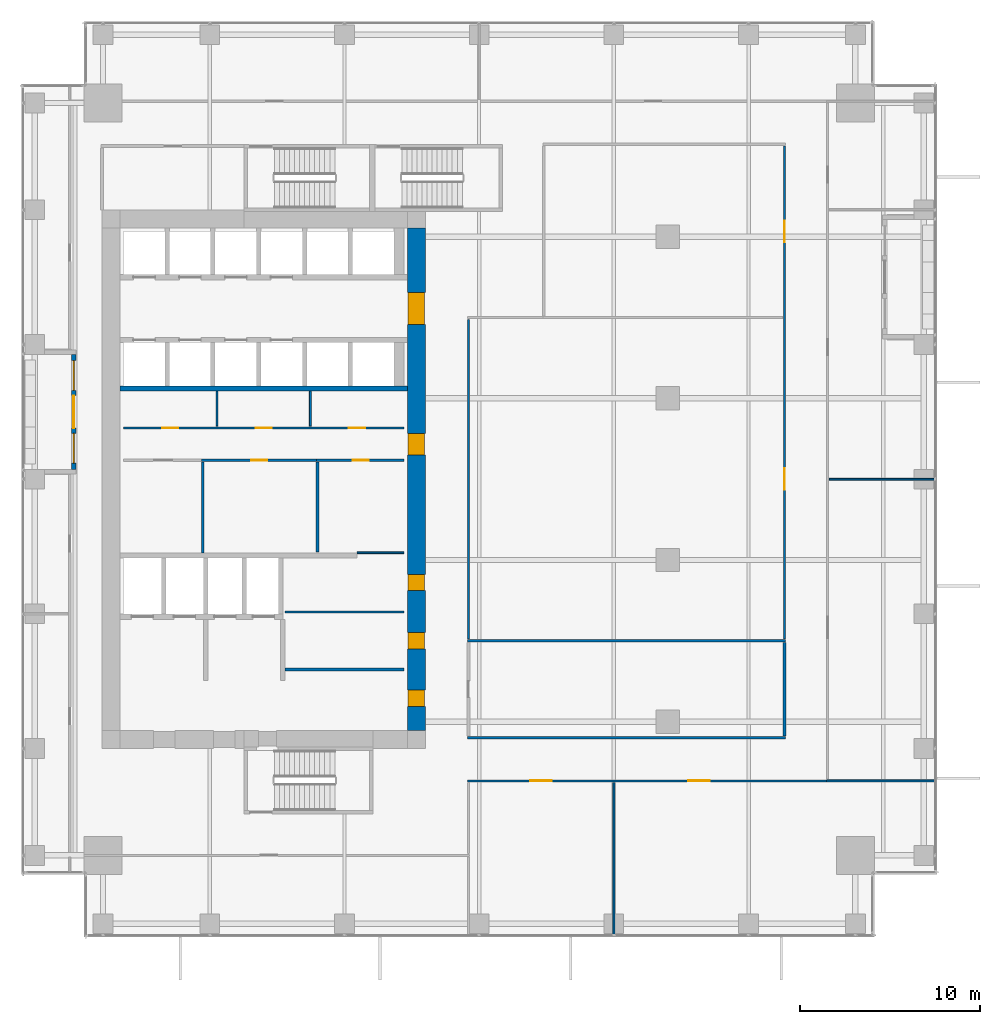
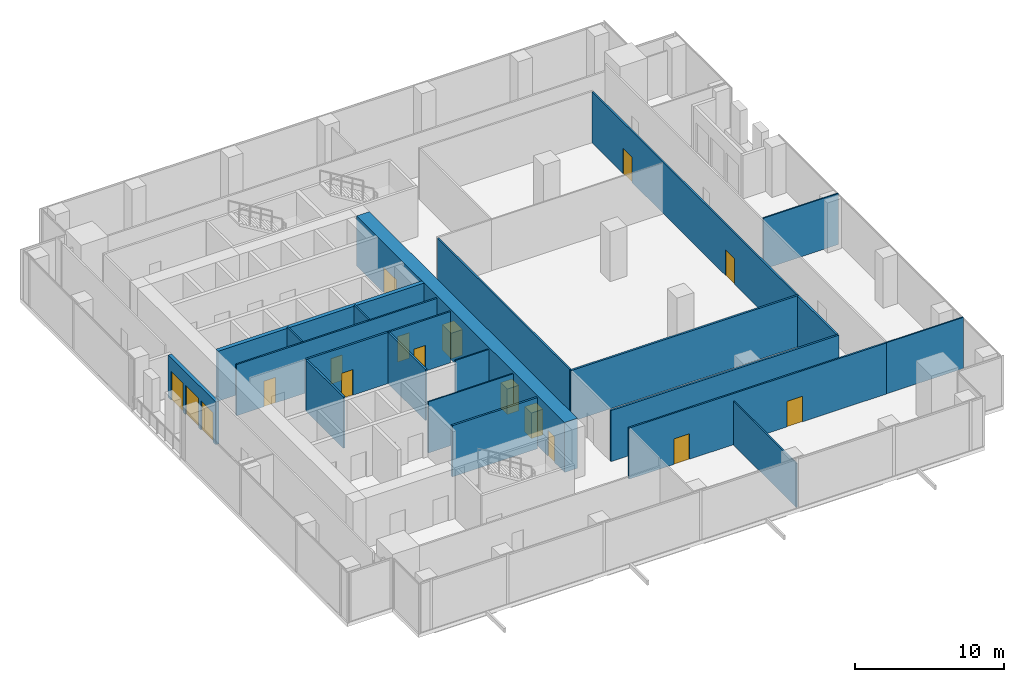
# One storey, part 30 of 35: 22 walls, 15 doors, 2 windows, 17 openings.
"""IFC4 building model written with IfcOpenShell, lengths in metres."""

from ifc_helpers import new_model, si_unit, direction, frame, frame_2d, origin, place, context, subcontext, project, spatial, rectangle, extrude, source, transform, mapped, material, layer, layer_set, type_object, element, fill, save


model = new_model("IFC4")

# Units and contexts
model_context = context("Model", 3, precision=1e-05, world=origin(), true_north=direction((0.0, 1.0)))
body_context = subcontext(model_context, "Body", "Model", "MODEL_VIEW")
ifc_project = project(units=[si_unit("LENGTHUNIT", "METRE"), si_unit("AREAUNIT", "SQUARE_METRE"), si_unit("VOLUMEUNIT", "CUBIC_METRE"), si_unit("PLANEANGLEUNIT", "RADIAN"), si_unit("MASSUNIT", "GRAM", prefix="KILO")], contexts=[model_context])

# Site, building, storey
site_placement = place(None, origin())
site = spatial("IfcSite", under=ifc_project, at=site_placement, CompositionType="ELEMENT")
building_placement = place(site_placement, origin())
building = spatial("IfcBuilding", under=site, at=building_placement, Name="Khomas Fold Tower", CompositionType="ELEMENT")
storey_placement = place(building_placement, frame((0.0, 0.0, 132.300048828125)))
storey = spatial("IfcBuildingStorey", under=building, at=storey_placement, Name="L28", CompositionType="ELEMENT", Elevation=132.300048828125)

# Wall, openings, doors
ifc_material_1 = material(Name="Concrete C70/85", Category="concrete")
ifc_layer_1 = layer(ifc_material_1, 1.0)
ifc_layer_set_1 = layer_set([ifc_layer_1], Name="Concrete C70/85")
wall_type_1 = type_object("IfcWallType", Name="Core wall 1000", PredefinedType="SHEAR", material=ifc_layer_set_1)
shared_shape_1 = source(origin(), body_context, "Body", "SweptSolid", [
    extrude(rectangle(XDim=28.0, YDim=1.0, at=frame_2d((14.0, 0.0))), origin(), (0.0, 0.0, 1.0), 4.099853515625),
])
wall_1_placement = place(storey_placement, frame((23.5, 13.0, 0.0), z_axis=(0.0, 0.0, 1.0), x_axis=(0.0, 1.0, 0.0)))
wall_1 = element("IfcWall", 1, at=wall_1_placement, inside=storey, type_object=wall_type_1, Name="Core wall CW-L-E-L21", PredefinedType="SHEAR", context=body_context, shape_type="MappedRepresentation", body=[
    mapped(shared_shape_1, transform((0.0, 0.0, 0.0))),
])
shared_shape_2 = source(origin(), body_context, "Body", "SweptSolid", [
    extrude(rectangle(XDim=1.800048828125, YDim=2.10009765625, at=frame_2d((0.89990234375, 1.050048828125))), frame((0.0, 0.510009765625, 0.0), z_axis=(0.0, -1.0, 0.0), x_axis=(1.0, 0.0, 0.0)), (0.0, 0.0, 1.0), 1.02001953125),
])
opening_1_placement = place(wall_1_placement, frame((22.60009765625, 0.0, 0.0)))
opening_1 = element("IfcOpeningElement", 2, at=opening_1_placement, cuts=wall_1, Name="Opening 0015", PredefinedType="OPENING", context=body_context, shape_type="MappedRepresentation", body=[
    mapped(shared_shape_2, transform((0.0, 0.0, 0.0))),
])
shared_shape_3 = source(origin(), body_context, "Body", "SweptSolid", [
    extrude(rectangle(XDim=1.199951171875, YDim=2.10009765625, at=frame_2d((0.60009765625, 1.050048828125))), frame((0.0, 0.510009765625, 0.0), z_axis=(0.0, -1.0, 0.0), x_axis=(1.0, 0.0, 0.0)), (0.0, 0.0, 1.0), 1.02001953125),
])
opening_2_placement = place(wall_1_placement, frame((15.35009765625, 0.0, 0.0)))
opening_2 = element("IfcOpeningElement", 3, at=opening_2_placement, cuts=wall_1, Name="Opening 0001", PredefinedType="OPENING", context=body_context, shape_type="MappedRepresentation", body=[
    mapped(shared_shape_3, transform((0.0, 0.0, 0.0))),
])
shared_shape_4 = source(origin(), body_context, "Body", "SweptSolid", [
    extrude(rectangle(XDim=0.89990234375, YDim=2.10009765625, at=frame_2d((0.449951171875, 1.050048828125))), frame((0.0, 0.510009765625, 0.0), z_axis=(0.0, -1.0, 0.0), x_axis=(1.0, 0.0, 0.0)), (0.0, 0.0, 1.0), 1.02001953125),
])
opening_3_placement = place(wall_1_placement, frame((1.35009765625, 0.0, 0.0)))
opening_3 = element("IfcOpeningElement", 4, at=opening_3_placement, cuts=wall_1, Name="Opening 0003", PredefinedType="OPENING", context=body_context, shape_type="MappedRepresentation", body=[
    mapped(shared_shape_4, transform((0.0, 0.0, 0.0))),
])
opening_4_placement = place(wall_1_placement, frame((4.550048828125, 0.0, 0.0)))
opening_4 = element("IfcOpeningElement", 5, at=opening_4_placement, cuts=wall_1, Name="Opening 0008", PredefinedType="OPENING", context=body_context, shape_type="MappedRepresentation", body=[
    mapped(shared_shape_4, transform((0.0, 0.0, 0.0))),
])
opening_5_placement = place(wall_1_placement, frame((7.800048828125, 0.0, 0.0)))
opening_5 = element("IfcOpeningElement", 6, at=opening_5_placement, cuts=wall_1, Name="Opening 0008", PredefinedType="OPENING", context=body_context, shape_type="MappedRepresentation", body=[
    mapped(shared_shape_4, transform((0.0, 0.0, 0.0))),
])
ifc_material_2 = material(Name="Steel door leaf", Category="steel")
door_type_1 = type_object("IfcDoorType", Name="Lobby door 1800x2100", OperationType="DOUBLE_DOOR_SINGLE_SWING", PredefinedType="DOOR", material=ifc_material_2)
shared_shape_5 = source(origin(), body_context, "Body", "SweptSolid", [
    extrude(rectangle(XDim=1.800048828125, YDim=2.10009765625, at=frame_2d((0.89990234375, 1.050048828125))), frame((0.0, 0.449951171875, 0.0), z_axis=(0.0, -1.0, 0.0), x_axis=(1.0, 0.0, 0.0)), (0.0, 0.0, 1.0), 0.89990234375),
])
door_1_placement = place(opening_1_placement, origin())
door_1 = element("IfcDoor", 7, at=door_1_placement, inside=storey, type_object=door_type_1, Name="Lobby door", OperationType="DOUBLE_DOOR_SINGLE_SWING", OverallHeight=2.10009765625, OverallWidth=1.800048828125, PredefinedType="DOOR", context=body_context, shape_type="MappedRepresentation", body=[
    mapped(shared_shape_5, transform((0.0, 0.0, 0.0))),
])
fill(opening_1, door_1)
ifc_material_3 = material(Name="Timber door leaf", Category="wood")
door_type_2 = type_object("IfcDoorType", Name="Door 1200x2100 right-hand", OperationType="SINGLE_SWING_RIGHT", PredefinedType="DOOR", material=ifc_material_3)
shared_shape_6 = source(origin(), body_context, "Body", "SweptSolid", [
    extrude(rectangle(XDim=1.199951171875, YDim=2.10009765625, at=frame_2d((0.60009765625, 1.050048828125))), frame((0.0, 0.449951171875, 0.0), z_axis=(0.0, -1.0, 0.0), x_axis=(1.0, 0.0, 0.0)), (0.0, 0.0, 1.0), 0.89990234375),
])
door_2_placement = place(opening_2_placement, origin())
door_2 = element("IfcDoor", 8, at=door_2_placement, inside=storey, type_object=door_type_2, Name="Door", OperationType="SINGLE_SWING_RIGHT", OverallHeight=2.10009765625, OverallWidth=1.199951171875, PredefinedType="DOOR", context=body_context, shape_type="MappedRepresentation", body=[
    mapped(shared_shape_6, transform((0.0, 0.0, 0.0))),
])
fill(opening_2, door_2)
ifc_material_4 = material(Name="Steel door leaf", Category="steel")
door_type_3 = type_object("IfcDoorType", Name="Plant room door 900x2100 right-hand", OperationType="SINGLE_SWING_RIGHT", PredefinedType="DOOR", material=ifc_material_4)
shared_shape_7 = source(origin(), body_context, "Body", "SweptSolid", [
    extrude(rectangle(XDim=0.89990234375, YDim=2.10009765625, at=frame_2d((0.449951171875, 1.050048828125))), frame((0.0, 0.449951171875, 0.0), z_axis=(0.0, -1.0, 0.0), x_axis=(1.0, 0.0, 0.0)), (0.0, 0.0, 1.0), 0.89990234375),
])
door_3_placement = place(opening_3_placement, origin())
door_3 = element("IfcDoor", 9, at=door_3_placement, inside=storey, type_object=door_type_3, Name="Plant room door", OperationType="SINGLE_SWING_RIGHT", OverallHeight=2.10009765625, OverallWidth=0.89990234375, PredefinedType="DOOR", context=body_context, shape_type="MappedRepresentation", body=[
    mapped(shared_shape_7, transform((0.0, 0.0, 0.0))),
])
fill(opening_3, door_3)
ifc_material_5 = material(Name="Timber door leaf", Category="wood")
door_type_4 = type_object("IfcDoorType", Name="Door 900x2100 right-hand", OperationType="SINGLE_SWING_RIGHT", PredefinedType="DOOR", material=ifc_material_5)
door_4_placement = place(opening_4_placement, origin())
door_4 = element("IfcDoor", 10, at=door_4_placement, inside=storey, type_object=door_type_4, Name="Door", OperationType="SINGLE_SWING_RIGHT", OverallHeight=2.10009765625, OverallWidth=0.89990234375, PredefinedType="DOOR", context=body_context, shape_type="MappedRepresentation", body=[
    mapped(shared_shape_7, transform((0.0, 0.0, 0.0))),
])
fill(opening_4, door_4)
door_5_placement = place(opening_5_placement, origin())
door_5 = element("IfcDoor", 11, at=door_5_placement, inside=storey, type_object=door_type_4, Name="Door", OperationType="SINGLE_SWING_RIGHT", OverallHeight=2.10009765625, OverallWidth=0.89990234375, PredefinedType="DOOR", context=body_context, shape_type="MappedRepresentation", body=[
    mapped(shared_shape_7, transform((0.0, 0.0, 0.0))),
])
fill(opening_5, door_5)

# Wall
ifc_material_6 = material(Name="Concrete C50/60", Category="concrete")
ifc_layer_2 = layer(ifc_material_6, 0.300048828125)
ifc_layer_set_2 = layer_set([ifc_layer_2], Name="Concrete C50/60")
wall_type_2 = type_object("IfcWallType", Name="Shaft wall 300", PredefinedType="STANDARD", material=ifc_layer_set_2)
shared_shape_8 = source(origin(), body_context, "Body", "SweptSolid", [
    extrude(rectangle(XDim=16.0, YDim=0.300048828125, at=frame_2d((8.0, 0.0))), origin(), (0.0, 0.0, 1.0), 4.099853515625),
])
wall_2_placement = place(storey_placement, frame((7.0, 32.050048828125, 0.0), z_axis=(0.0, 0.0, 1.0), x_axis=(1.0, 0.0, 0.0)))
element("IfcWall", 12, at=wall_2_placement, inside=storey, type_object=wall_type_2, Name="Core wall SW-HRN-B", PredefinedType="STANDARD", context=body_context, shape_type="MappedRepresentation", body=[
    mapped(shared_shape_8, transform((0.0, 0.0, 0.0))),
])

# Wall, openings, door, windows
ifc_material_7 = material(Name="Natural stone", Category="masonry")
ifc_layer_3 = layer(ifc_material_7, 0.0400390625)
ifc_material_8 = material(Name="Mineral wool insulation", Category="insulation")
ifc_layer_4 = layer(ifc_material_8, 0.10009765625)
ifc_material_9 = material(Name="Masonry", Category="masonry")
ifc_layer_5 = layer(ifc_material_9, 0.110107421875)
ifc_layer_set_3 = layer_set([ifc_layer_3, ifc_layer_4, ifc_layer_5], Name="Stone-faced insulated masonry")
wall_type_3 = type_object("IfcWallType", Name="BL-Balcony wall", PredefinedType="SOLIDWALL", material=ifc_layer_set_3)
shared_shape_9 = source(origin(), body_context, "Body", "SweptSolid", [
    extrude(rectangle(XDim=6.39990234375, YDim=0.25, at=frame_2d((3.199951171875, 0.0))), origin(), (0.0, 0.0, 1.0), 3.5),
])
wall_3_placement = place(storey_placement, frame((4.425048828125, 27.550048828125, 0.0), z_axis=(0.0, 0.0, 1.0), x_axis=(0.0, 1.0, 0.0)))
wall_3 = element("IfcWall", 13, at=wall_3_placement, inside=storey, type_object=wall_type_3, Name="Balcony wall BAL-L28-W3", PredefinedType="SOLIDWALL", context=body_context, shape_type="MappedRepresentation", body=[
    mapped(shared_shape_9, transform((0.0, 0.0, 0.0))),
])
shared_shape_10 = source(origin(), body_context, "Body", "SweptSolid", [
    extrude(rectangle(XDim=1.64990234375, YDim=2.39990234375, at=frame_2d((0.824951171875, 1.199951171875))), frame((0.0, 0.135009765625, 0.0), z_axis=(0.0, -1.0, 0.0), x_axis=(1.0, 0.0, 0.0)), (0.0, 0.0, 1.0), 0.27001953125),
])
opening_6_placement = place(wall_3_placement, frame((0.35009765625, 0.0, 0.0)))
opening_6 = element("IfcOpeningElement", 14, at=opening_6_placement, cuts=wall_3, Name="Opening BL-W2", PredefinedType="OPENING", context=body_context, shape_type="MappedRepresentation", body=[
    mapped(shared_shape_10, transform((0.0, 0.0, 0.0))),
])
opening_7_placement = place(wall_3_placement, frame((4.39990234375, 0.0, 0.0)))
opening_7 = element("IfcOpeningElement", 15, at=opening_7_placement, cuts=wall_3, Name="Opening BL-W2", PredefinedType="OPENING", context=body_context, shape_type="MappedRepresentation", body=[
    mapped(shared_shape_10, transform((0.0, 0.0, 0.0))),
])
shared_shape_11 = source(origin(), body_context, "Body", "SweptSolid", [
    extrude(rectangle(XDim=1.800048828125, YDim=2.39990234375, at=frame_2d((0.89990234375, 1.199951171875))), frame((0.0, 0.135009765625, 0.0), z_axis=(0.0, -1.0, 0.0), x_axis=(1.0, 0.0, 0.0)), (0.0, 0.0, 1.0), 0.27001953125),
])
opening_8_placement = place(wall_3_placement, frame((2.300048828125, 0.0, 0.0)))
opening_8 = element("IfcOpeningElement", 16, at=opening_8_placement, cuts=wall_3, Name="Opening BD282", PredefinedType="OPENING", context=body_context, shape_type="MappedRepresentation", body=[
    mapped(shared_shape_11, transform((0.0, 0.0, 0.0))),
])
ifc_material_10 = material(Name="Aluminium framed double glazing", Category="aluminium")
door_type_5 = type_object("IfcDoorType", Name="BL-Glazed balcony door 1800 x 2400", OperationType="DOUBLE_DOOR_DOUBLE_SWING", PredefinedType="DOOR", material=ifc_material_10)
shared_shape_12 = source(origin(), body_context, "Body", "SweptSolid", [
    extrude(rectangle(XDim=1.800048828125, YDim=2.39990234375, at=frame_2d((0.89990234375, 1.199951171875))), frame((0.0, 0.02490234375, 0.0), z_axis=(0.0, -1.0, 0.0), x_axis=(1.0, 0.0, 0.0)), (0.0, 0.0, 1.0), 0.050048828125),
])
door_6_placement = place(opening_8_placement, origin())
door_6 = element("IfcDoor", 17, at=door_6_placement, inside=storey, type_object=door_type_5, Name="Balcony door BD282", OperationType="DOUBLE_DOOR_DOUBLE_SWING", OverallHeight=2.39990234375, OverallWidth=1.800048828125, PredefinedType="DOOR", context=body_context, shape_type="MappedRepresentation", body=[
    mapped(shared_shape_12, transform((0.0, 0.0, 0.0))),
])
fill(opening_8, door_6)
ifc_material_11 = material(Name="Aluminium framed double glazing", Category="aluminium")
window_type = type_object("IfcWindowType", Name="BL-Fixed glazing 1650 x 2400", PartitioningType="SINGLE_PANEL", PredefinedType="WINDOW", material=ifc_material_11)
shared_shape_13 = source(origin(), body_context, "Body", "SweptSolid", [
    extrude(rectangle(XDim=1.64990234375, YDim=2.39990234375, at=frame_2d((0.824951171875, 1.199951171875))), frame((0.0, 0.030029296875, 0.0), z_axis=(0.0, -1.0, 0.0), x_axis=(1.0, 0.0, 0.0)), (0.0, 0.0, 1.0), 0.06005859375),
])
window_1_placement = place(opening_6_placement, origin())
window_1 = element("IfcWindow", 18, at=window_1_placement, inside=storey, type_object=window_type, Name="Balcony glazing BAL-L28-W3-1", OverallHeight=2.39990234375, OverallWidth=1.64990234375, PartitioningType="SINGLE_PANEL", PredefinedType="WINDOW", context=body_context, shape_type="MappedRepresentation", body=[
    mapped(shared_shape_13, transform((0.0, 0.0, 0.0))),
])
fill(opening_6, window_1)
window_2_placement = place(opening_7_placement, origin())
window_2 = element("IfcWindow", 19, at=window_2_placement, inside=storey, type_object=window_type, Name="Balcony glazing BAL-L28-W3-2", OverallHeight=2.39990234375, OverallWidth=1.64990234375, PartitioningType="SINGLE_PANEL", PredefinedType="WINDOW", context=body_context, shape_type="MappedRepresentation", body=[
    mapped(shared_shape_13, transform((0.0, 0.0, 0.0))),
])
fill(opening_7, window_2)

# Wall
ifc_material_12 = material(Name="Plasterboard partition")
ifc_layer_6 = layer(ifc_material_12, 0.10009765625)
ifc_layer_set_4 = layer_set([ifc_layer_6], Name="Plasterboard partition")
wall_type_4 = type_object("IfcWallType", Name="Partition PW1 100", PredefinedType="PARTITIONING", material=ifc_layer_set_4)
shared_shape_14 = source(origin(), body_context, "Body", "SweptSolid", [
    extrude(rectangle(XDim=2.60009765625, YDim=0.10009765625, at=frame_2d((1.300048828125, 0.0))), origin(), (0.0, 0.0, 1.0), 4.199951171875),
])
wall_4_placement = place(storey_placement, frame((20.199951171875, 22.89990234375, 0.0), z_axis=(0.0, 0.0, 1.0), x_axis=(1.0, 0.0, 0.0)))
element("IfcWall", 20, at=wall_4_placement, inside=storey, type_object=wall_type_4, Name="Partition", PredefinedType="PARTITIONING", context=body_context, shape_type="MappedRepresentation", body=[
    mapped(shared_shape_14, transform((0.0, 0.0, 0.0))),
])

# Wall, openings, doors
ifc_material_13 = material(Name="Plasterboard partition")
ifc_layer_7 = layer(ifc_material_13, 0.125)
ifc_layer_set_5 = layer_set([ifc_layer_7], Name="Plasterboard partition")
wall_type_5 = type_object("IfcWallType", Name="Partition PW2 125", PredefinedType="PARTITIONING", material=ifc_layer_set_5)
shared_shape_15 = source(origin(), body_context, "Body", "SweptSolid", [
    extrude(rectangle(XDim=15.60009765625, YDim=0.125, at=frame_2d((7.800048828125, 0.0))), origin(), (0.0, 0.0, 1.0), 4.199951171875),
])
wall_5_placement = place(storey_placement, frame((7.199951171875, 29.85009765625, 0.0), z_axis=(0.0, 0.0, 1.0), x_axis=(1.0, 0.0, 0.0)))
wall_5 = element("IfcWall", 21, at=wall_5_placement, inside=storey, type_object=wall_type_5, Name="Partition", PredefinedType="PARTITIONING", context=body_context, shape_type="MappedRepresentation", body=[
    mapped(shared_shape_15, transform((0.0, 0.0, 0.0))),
])
shared_shape_16 = source(origin(), body_context, "Body", "SweptSolid", [
    extrude(rectangle(XDim=0.89990234375, YDim=2.10009765625, at=frame_2d((0.449951171875, 1.050048828125))), frame((0.0, 0.072509765625, 0.0), z_axis=(0.0, -1.0, 0.0), x_axis=(1.0, 0.0, 0.0)), (0.0, 0.0, 1.0), 0.14501953125),
])
opening_9_placement = place(wall_5_placement, frame((2.14990234375, 0.0, 0.0)))
opening_9 = element("IfcOpeningElement", 22, at=opening_9_placement, cuts=wall_5, Name="Opening 0005", PredefinedType="OPENING", context=body_context, shape_type="MappedRepresentation", body=[
    mapped(shared_shape_16, transform((0.0, 0.0, 0.0))),
])
opening_10_placement = place(wall_5_placement, frame((7.35009765625, 0.0, 0.0)))
opening_10 = element("IfcOpeningElement", 23, at=opening_10_placement, cuts=wall_5, Name="Opening 0004", PredefinedType="OPENING", context=body_context, shape_type="MappedRepresentation", body=[
    mapped(shared_shape_16, transform((0.0, 0.0, 0.0))),
])
opening_11_placement = place(wall_5_placement, frame((12.550048828125, 0.0, 0.0)))
opening_11 = element("IfcOpeningElement", 24, at=opening_11_placement, cuts=wall_5, Name="Opening 0007", PredefinedType="OPENING", context=body_context, shape_type="MappedRepresentation", body=[
    mapped(shared_shape_16, transform((0.0, 0.0, 0.0))),
])
ifc_material_14 = material(Name="Timber door leaf", Category="wood")
door_type_6 = type_object("IfcDoorType", Name="WC door 900x2100 left-hand", OperationType="SINGLE_SWING_LEFT", PredefinedType="DOOR", material=ifc_material_14)
shared_shape_17 = source(origin(), body_context, "Body", "SweptSolid", [
    extrude(rectangle(XDim=0.89990234375, YDim=2.10009765625, at=frame_2d((0.449951171875, 1.050048828125))), frame((0.0, 0.02490234375, 0.0), z_axis=(0.0, -1.0, 0.0), x_axis=(1.0, 0.0, 0.0)), (0.0, 0.0, 1.0), 0.050048828125),
])
door_7_placement = place(opening_9_placement, origin())
door_7 = element("IfcDoor", 25, at=door_7_placement, inside=storey, type_object=door_type_6, Name="WC door", OperationType="SINGLE_SWING_LEFT", OverallHeight=2.10009765625, OverallWidth=0.89990234375, PredefinedType="DOOR", context=body_context, shape_type="MappedRepresentation", body=[
    mapped(shared_shape_17, transform((0.0, 0.0, 0.0))),
])
fill(opening_9, door_7)
ifc_material_15 = material(Name="Timber door leaf", Category="wood")
door_type_7 = type_object("IfcDoorType", Name="WC door 900x2100 right-hand", OperationType="SINGLE_SWING_RIGHT", PredefinedType="DOOR", material=ifc_material_15)
door_8_placement = place(opening_10_placement, origin())
door_8 = element("IfcDoor", 26, at=door_8_placement, inside=storey, type_object=door_type_7, Name="WC door", OperationType="SINGLE_SWING_RIGHT", OverallHeight=2.10009765625, OverallWidth=0.89990234375, PredefinedType="DOOR", context=body_context, shape_type="MappedRepresentation", body=[
    mapped(shared_shape_17, transform((0.0, 0.0, 0.0))),
])
fill(opening_10, door_8)
ifc_material_16 = material(Name="Timber door leaf", Category="wood")
door_type_8 = type_object("IfcDoorType", Name="Door 900x2100 left-hand", OperationType="SINGLE_SWING_LEFT", PredefinedType="DOOR", material=ifc_material_16)
door_9_placement = place(opening_11_placement, origin())
door_9 = element("IfcDoor", 27, at=door_9_placement, inside=storey, type_object=door_type_8, Name="Door", OperationType="SINGLE_SWING_LEFT", OverallHeight=2.10009765625, OverallWidth=0.89990234375, PredefinedType="DOOR", context=body_context, shape_type="MappedRepresentation", body=[
    mapped(shared_shape_17, transform((0.0, 0.0, 0.0))),
])
fill(opening_11, door_9)

shared_shape_18 = source(origin(), body_context, "Body", "SweptSolid", [
    extrude(rectangle(XDim=20.0, YDim=0.125, at=frame_2d((10.0, 0.0))), origin(), (0.0, 0.0, 1.0), 4.199951171875),
])
wall_6_placement = place(storey_placement, frame((26.35009765625, 10.199951171875, 0.0), z_axis=(0.0, 0.0, 1.0), x_axis=(1.0, 0.0, 0.0)))
wall_6 = element("IfcWall", 28, at=wall_6_placement, inside=storey, type_object=wall_type_5, Name="Partition", PredefinedType="PARTITIONING", context=body_context, shape_type="MappedRepresentation", body=[
    mapped(shared_shape_18, transform((0.0, 0.0, 0.0))),
])
shared_shape_19 = source(origin(), body_context, "Body", "SweptSolid", [
    extrude(rectangle(XDim=1.199951171875, YDim=2.10009765625, at=frame_2d((0.60009765625, 1.050048828125))), frame((0.0, 0.072509765625, 0.0), z_axis=(0.0, -1.0, 0.0), x_axis=(1.0, 0.0, 0.0)), (0.0, 0.0, 1.0), 0.14501953125),
])
opening_12_placement = place(wall_6_placement, frame((3.5, 0.0, 0.0)))
opening_12 = element("IfcOpeningElement", 29, at=opening_12_placement, cuts=wall_6, Name="Opening 0001", PredefinedType="OPENING", context=body_context, shape_type="MappedRepresentation", body=[
    mapped(shared_shape_19, transform((0.0, 0.0, 0.0))),
])
opening_13_placement = place(wall_6_placement, frame((12.300048828125, 0.0, 0.0)))
opening_13 = element("IfcOpeningElement", 30, at=opening_13_placement, cuts=wall_6, Name="Opening 0013", PredefinedType="OPENING", context=body_context, shape_type="MappedRepresentation", body=[
    mapped(shared_shape_19, transform((0.0, 0.0, 0.0))),
])
shared_shape_20 = source(origin(), body_context, "Body", "SweptSolid", [
    extrude(rectangle(XDim=1.199951171875, YDim=2.10009765625, at=frame_2d((0.60009765625, 1.050048828125))), frame((0.0, 0.02490234375, 0.0), z_axis=(0.0, -1.0, 0.0), x_axis=(1.0, 0.0, 0.0)), (0.0, 0.0, 1.0), 0.050048828125),
])
door_10_placement = place(opening_12_placement, origin())
door_10 = element("IfcDoor", 31, at=door_10_placement, inside=storey, type_object=door_type_2, Name="Door", OperationType="SINGLE_SWING_RIGHT", OverallHeight=2.10009765625, OverallWidth=1.199951171875, PredefinedType="DOOR", context=body_context, shape_type="MappedRepresentation", body=[
    mapped(shared_shape_20, transform((0.0, 0.0, 0.0))),
])
fill(opening_12, door_10)
ifc_material_17 = material(Name="Timber door leaf", Category="wood")
door_type_9 = type_object("IfcDoorType", Name="Door 1200x2100 left-hand", OperationType="SINGLE_SWING_LEFT", PredefinedType="DOOR", material=ifc_material_17)
door_11_placement = place(opening_13_placement, origin())
door_11 = element("IfcDoor", 32, at=door_11_placement, inside=storey, type_object=door_type_9, Name="Door", OperationType="SINGLE_SWING_LEFT", OverallHeight=2.10009765625, OverallWidth=1.199951171875, PredefinedType="DOOR", context=body_context, shape_type="MappedRepresentation", body=[
    mapped(shared_shape_20, transform((0.0, 0.0, 0.0))),
])
fill(opening_13, door_11)

# Walls
shared_shape_21 = source(origin(), body_context, "Body", "SweptSolid", [
    extrude(rectangle(XDim=6.0, YDim=0.10009765625, at=frame_2d((3.0, 0.0))), origin(), (0.0, 0.0, 1.0), 4.199951171875),
])
wall_7_placement = place(storey_placement, frame((46.35009765625, 10.199951171875, 0.0), z_axis=(0.0, 0.0, 1.0), x_axis=(1.0, 0.0, 0.0)))
element("IfcWall", 33, at=wall_7_placement, inside=storey, type_object=wall_type_4, Name="Partition", PredefinedType="PARTITIONING", context=body_context, shape_type="MappedRepresentation", body=[
    mapped(shared_shape_21, transform((0.0, 0.0, 0.0))),
])
ifc_material_18 = material(Name="Plasterboard fire partition")
ifc_layer_8 = layer(ifc_material_18, 0.14990234375)
ifc_layer_set_6 = layer_set([ifc_layer_8], Name="Plasterboard fire partition")
wall_type_6 = type_object("IfcWallType", Name="Plant room wall PW3 150", PredefinedType="PARTITIONING", material=ifc_layer_set_6)
shared_shape_22 = source(origin(), body_context, "Body", "SweptSolid", [
    extrude(rectangle(XDim=6.60009765625, YDim=0.14990234375, at=frame_2d((3.300048828125, 0.0))), origin(), (0.0, 0.0, 1.0), 4.199951171875),
])
wall_8_placement = place(storey_placement, frame((16.199951171875, 16.39990234375, 0.0), z_axis=(0.0, 0.0, 1.0), x_axis=(1.0, 0.0, 0.0)))
element("IfcWall", 34, at=wall_8_placement, inside=storey, type_object=wall_type_6, Name="Plant room wall", PredefinedType="PARTITIONING", context=body_context, shape_type="MappedRepresentation", body=[
    mapped(shared_shape_22, transform((0.0, 0.0, 0.0))),
])
shared_shape_23 = source(origin(), body_context, "Body", "SweptSolid", [
    extrude(rectangle(XDim=5.85009765625, YDim=0.10009765625, at=frame_2d((2.925048828125, 0.0))), origin(), (0.0, 0.0, 1.0), 4.199951171875),
])
wall_9_placement = place(storey_placement, frame((46.5, 27.0, 0.0), z_axis=(0.0, 0.0, 1.0), x_axis=(1.0, 0.0, 0.0)))
element("IfcWall", 35, at=wall_9_placement, inside=storey, type_object=wall_type_4, Name="Partition", PredefinedType="PARTITIONING", context=body_context, shape_type="MappedRepresentation", body=[
    mapped(shared_shape_23, transform((0.0, 0.0, 0.0))),
])
shared_shape_24 = source(origin(), body_context, "Body", "SweptSolid", [
    extrude(rectangle(XDim=8.4501953125, YDim=0.10009765625, at=frame_2d((4.22509765625, 0.0))), origin(), (0.0, 0.0, 1.0), 3.599853515625),
])
wall_10_placement = place(storey_placement, frame((34.5, 1.64990234375, 0.0), z_axis=(0.0, 0.0, 1.0), x_axis=(0.0, 1.0, 0.0)))
element("IfcWall", 36, at=wall_10_placement, inside=storey, type_object=wall_type_4, Name="Partition", PredefinedType="PARTITIONING", context=body_context, shape_type="MappedRepresentation", body=[
    mapped(shared_shape_24, transform((0.0, 0.0, 0.0))),
])
shared_shape_25 = source(origin(), body_context, "Body", "SweptSolid", [
    extrude(rectangle(XDim=17.699951171875, YDim=0.14990234375, at=frame_2d((8.85009765625, 0.0))), origin(), (0.0, 0.0, 1.0), 4.199951171875),
])
for number, where, z_axis, x_axis, name in (
    (37, (26.35009765625, 12.60009765625, 0.0), (0.0, 0.0, 1.0), (1.0, 0.0, 0.0), "Plant room wall"),
    (38, (26.35009765625, 18.0, 0.0), (0.0, 0.0, 1.0), (1.0, 0.0, 0.0), "Plant room wall"),
):
    element("IfcWall", number, at=place(storey_placement, frame(where, z_axis=z_axis, x_axis=x_axis)), inside=storey, type_object=wall_type_6, Name=name, PredefinedType="PARTITIONING", context=body_context, shape_type="MappedRepresentation", body=[
        mapped(shared_shape_25, transform((0.0, 0.0, 0.0))),
    ])
shared_shape_26 = source(origin(), body_context, "Body", "SweptSolid", [
    extrude(rectangle(XDim=5.199951171875, YDim=0.14990234375, at=frame_2d((2.60009765625, 0.0))), origin(), (0.0, 0.0, 1.0), 4.199951171875),
])
wall_11_placement = place(storey_placement, frame((44.0, 12.699951171875, 0.0), z_axis=(0.0, 0.0, 1.0), x_axis=(0.0, 1.0, 0.0)))
element("IfcWall", 39, at=wall_11_placement, inside=storey, type_object=wall_type_6, Name="Plant room wall", PredefinedType="PARTITIONING", context=body_context, shape_type="MappedRepresentation", body=[
    mapped(shared_shape_26, transform((0.0, 0.0, 0.0))),
])
shared_shape_27 = source(origin(), body_context, "Body", "SweptSolid", [
    extrude(rectangle(XDim=17.7998046875, YDim=0.125, at=frame_2d((8.89990234375, 0.0))), origin(), (0.0, 0.0, 1.0), 4.199951171875),
])
wall_12_placement = place(storey_placement, frame((26.39990234375, 18.10009765625, 0.0), z_axis=(0.0, 0.0, 1.0), x_axis=(0.0, 1.0, 0.0)))
element("IfcWall", 40, at=wall_12_placement, inside=storey, type_object=wall_type_5, Name="Partition", PredefinedType="PARTITIONING", context=body_context, shape_type="MappedRepresentation", body=[
    mapped(shared_shape_27, transform((0.0, 0.0, 0.0))),
])

# Wall, openings, doors
shared_shape_28 = source(origin(), body_context, "Body", "SweptSolid", [
    extrude(rectangle(XDim=27.449951171875, YDim=0.125, at=frame_2d((13.72509765625, 0.0))), origin(), (0.0, 0.0, 1.0), 4.199951171875),
])
wall_13_placement = place(storey_placement, frame((44.0, 18.10009765625, 0.0), z_axis=(0.0, 0.0, 1.0), x_axis=(0.0, 1.0, 0.0)))
wall_13 = element("IfcWall", 41, at=wall_13_placement, inside=storey, type_object=wall_type_5, Name="Partition", PredefinedType="PARTITIONING", context=body_context, shape_type="MappedRepresentation", body=[
    mapped(shared_shape_28, transform((0.0, 0.0, 0.0))),
])
opening_14_placement = place(wall_13_placement, frame((8.300048828125, 0.0, 0.0)))
opening_14 = element("IfcOpeningElement", 42, at=opening_14_placement, cuts=wall_13, Name="Opening 0001", PredefinedType="OPENING", context=body_context, shape_type="MappedRepresentation", body=[
    mapped(shared_shape_19, transform((0.0, 0.0, 0.0))),
])
opening_15_placement = place(wall_13_placement, frame((22.10009765625, 0.0, 0.0)))
opening_15 = element("IfcOpeningElement", 43, at=opening_15_placement, cuts=wall_13, Name="Opening 0013", PredefinedType="OPENING", context=body_context, shape_type="MappedRepresentation", body=[
    mapped(shared_shape_19, transform((0.0, 0.0, 0.0))),
])
door_12_placement = place(opening_14_placement, origin())
door_12 = element("IfcDoor", 44, at=door_12_placement, inside=storey, type_object=door_type_2, Name="Door", OperationType="SINGLE_SWING_RIGHT", OverallHeight=2.10009765625, OverallWidth=1.199951171875, PredefinedType="DOOR", context=body_context, shape_type="MappedRepresentation", body=[
    mapped(shared_shape_20, transform((0.0, 0.0, 0.0))),
])
fill(opening_14, door_12)
door_13_placement = place(opening_15_placement, origin())
door_13 = element("IfcDoor", 45, at=door_13_placement, inside=storey, type_object=door_type_9, Name="Door", OperationType="SINGLE_SWING_LEFT", OverallHeight=2.10009765625, OverallWidth=1.199951171875, PredefinedType="DOOR", context=body_context, shape_type="MappedRepresentation", body=[
    mapped(shared_shape_20, transform((0.0, 0.0, 0.0))),
])
fill(opening_15, door_13)

# Walls
shared_shape_29 = source(origin(), body_context, "Body", "SweptSolid", [
    extrude(rectangle(XDim=6.60009765625, YDim=0.10009765625, at=frame_2d((3.300048828125, 0.0))), origin(), (0.0, 0.0, 1.0), 4.199951171875),
])
wall_14_placement = place(storey_placement, frame((16.199951171875, 19.60009765625, 0.0), z_axis=(0.0, 0.0, 1.0), x_axis=(1.0, 0.0, 0.0)))
element("IfcWall", 46, at=wall_14_placement, inside=storey, type_object=wall_type_4, Name="Partition", PredefinedType="PARTITIONING", context=body_context, shape_type="MappedRepresentation", body=[
    mapped(shared_shape_29, transform((0.0, 0.0, 0.0))),
])
shared_shape_30 = source(origin(), body_context, "Body", "SweptSolid", [
    extrude(rectangle(XDim=5.050048828125, YDim=0.14990234375, at=frame_2d((2.52490234375, 0.0))), origin(), (0.0, 0.0, 1.0), 4.199951171875),
])
wall_15_placement = place(storey_placement, frame((11.60009765625, 22.89990234375, 0.0), z_axis=(0.0, 0.0, 1.0), x_axis=(0.0, 1.0, 0.0)))
element("IfcWall", 47, at=wall_15_placement, inside=storey, type_object=wall_type_6, Name="Plant room wall", PredefinedType="PARTITIONING", context=body_context, shape_type="MappedRepresentation", body=[
    mapped(shared_shape_30, transform((0.0, 0.0, 0.0))),
])
shared_shape_31 = source(origin(), body_context, "Body", "SweptSolid", [
    extrude(rectangle(XDim=5.0, YDim=0.14990234375, at=frame_2d((2.5, 0.0))), origin(), (0.0, 0.0, 1.0), 4.199951171875),
])
wall_16_placement = place(storey_placement, frame((18.0, 22.949951171875, 0.0), z_axis=(0.0, 0.0, 1.0), x_axis=(0.0, 1.0, 0.0)))
element("IfcWall", 48, at=wall_16_placement, inside=storey, type_object=wall_type_6, Name="Plant room wall", PredefinedType="PARTITIONING", context=body_context, shape_type="MappedRepresentation", body=[
    mapped(shared_shape_31, transform((0.0, 0.0, 0.0))),
])

# Wall, opening, door
shared_shape_32 = source(origin(), body_context, "Body", "SweptSolid", [
    extrude(rectangle(XDim=6.39990234375, YDim=0.14990234375, at=frame_2d((3.199951171875, 0.0))), origin(), (0.0, 0.0, 1.0), 4.199951171875),
])
wall_17_placement = place(storey_placement, frame((11.550048828125, 28.050048828125, 0.0), z_axis=(0.0, 0.0, 1.0), x_axis=(1.0, 0.0, 0.0)))
wall_17 = element("IfcWall", 49, at=wall_17_placement, inside=storey, type_object=wall_type_6, Name="Plant room wall", PredefinedType="PARTITIONING", context=body_context, shape_type="MappedRepresentation", body=[
    mapped(shared_shape_32, transform((0.0, 0.0, 0.0))),
])
shared_shape_33 = source(origin(), body_context, "Body", "SweptSolid", [
    extrude(rectangle(XDim=0.89990234375, YDim=2.10009765625, at=frame_2d((0.449951171875, 1.050048828125))), frame((0.0, 0.0849609375, 0.0), z_axis=(0.0, -1.0, 0.0), x_axis=(1.0, 0.0, 0.0)), (0.0, 0.0, 1.0), 0.169921875),
])
opening_16_placement = place(wall_17_placement, frame((2.75, 0.0, 0.0)))
opening_16 = element("IfcOpeningElement", 50, at=opening_16_placement, cuts=wall_17, Name="Opening 0003", PredefinedType="OPENING", context=body_context, shape_type="MappedRepresentation", body=[
    mapped(shared_shape_33, transform((0.0, 0.0, 0.0))),
])
door_14_placement = place(opening_16_placement, origin())
door_14 = element("IfcDoor", 51, at=door_14_placement, inside=storey, type_object=door_type_3, Name="Plant room door", OperationType="SINGLE_SWING_RIGHT", OverallHeight=2.10009765625, OverallWidth=0.89990234375, PredefinedType="DOOR", context=body_context, shape_type="MappedRepresentation", body=[
    mapped(shared_shape_17, transform((0.0, 0.0, 0.0))),
])
fill(opening_16, door_14)

shared_shape_34 = source(origin(), body_context, "Body", "SweptSolid", [
    extrude(rectangle(XDim=4.85009765625, YDim=0.125, at=frame_2d((2.425048828125, 0.0))), origin(), (0.0, 0.0, 1.0), 4.199951171875),
])
wall_18_placement = place(storey_placement, frame((17.949951171875, 28.050048828125, 0.0), z_axis=(0.0, 0.0, 1.0), x_axis=(1.0, 0.0, 0.0)))
wall_18 = element("IfcWall", 52, at=wall_18_placement, inside=storey, type_object=wall_type_5, Name="Partition", PredefinedType="PARTITIONING", context=body_context, shape_type="MappedRepresentation", body=[
    mapped(shared_shape_34, transform((0.0, 0.0, 0.0))),
])
opening_17_placement = place(wall_18_placement, frame((2.0, 0.0, 0.0)))
opening_17 = element("IfcOpeningElement", 53, at=opening_17_placement, cuts=wall_18, Name="Opening 0007", PredefinedType="OPENING", context=body_context, shape_type="MappedRepresentation", body=[
    mapped(shared_shape_16, transform((0.0, 0.0, 0.0))),
])
door_15_placement = place(opening_17_placement, origin())
door_15 = element("IfcDoor", 54, at=door_15_placement, inside=storey, type_object=door_type_8, Name="Door", OperationType="SINGLE_SWING_LEFT", OverallHeight=2.10009765625, OverallWidth=0.89990234375, PredefinedType="DOOR", context=body_context, shape_type="MappedRepresentation", body=[
    mapped(shared_shape_17, transform((0.0, 0.0, 0.0))),
])
fill(opening_17, door_15)

# Walls
shared_shape_35 = source(origin(), body_context, "Body", "SweptSolid", [
    extrude(rectangle(XDim=1.949951171875, YDim=0.10009765625, at=frame_2d((0.97509765625, 0.0))), origin(), (0.0, 0.0, 1.0), 4.199951171875),
])
for number, where, z_axis, x_axis, name in (
    (55, (12.39990234375, 29.949951171875, 0.0), (0.0, 0.0, 1.0), (0.0, 1.0, 0.0), "Partition"),
    (56, (17.60009765625, 29.949951171875, 0.0), (0.0, 0.0, 1.0), (0.0, 1.0, 0.0), "Partition"),
):
    element("IfcWall", number, at=place(storey_placement, frame(where, z_axis=z_axis, x_axis=x_axis)), inside=storey, type_object=wall_type_4, Name=name, PredefinedType="PARTITIONING", context=body_context, shape_type="MappedRepresentation", body=[
        mapped(shared_shape_35, transform((0.0, 0.0, 0.0))),
    ])

save(model, "model.ifc")
